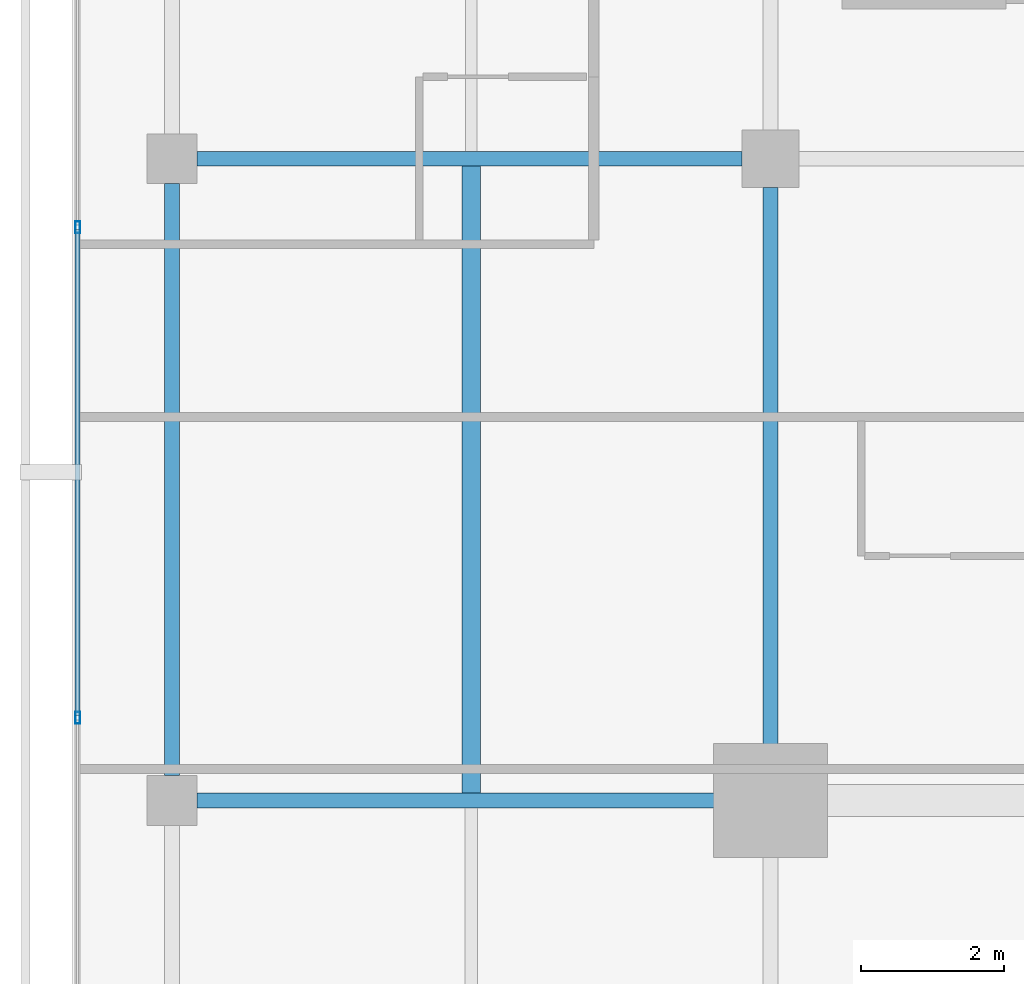
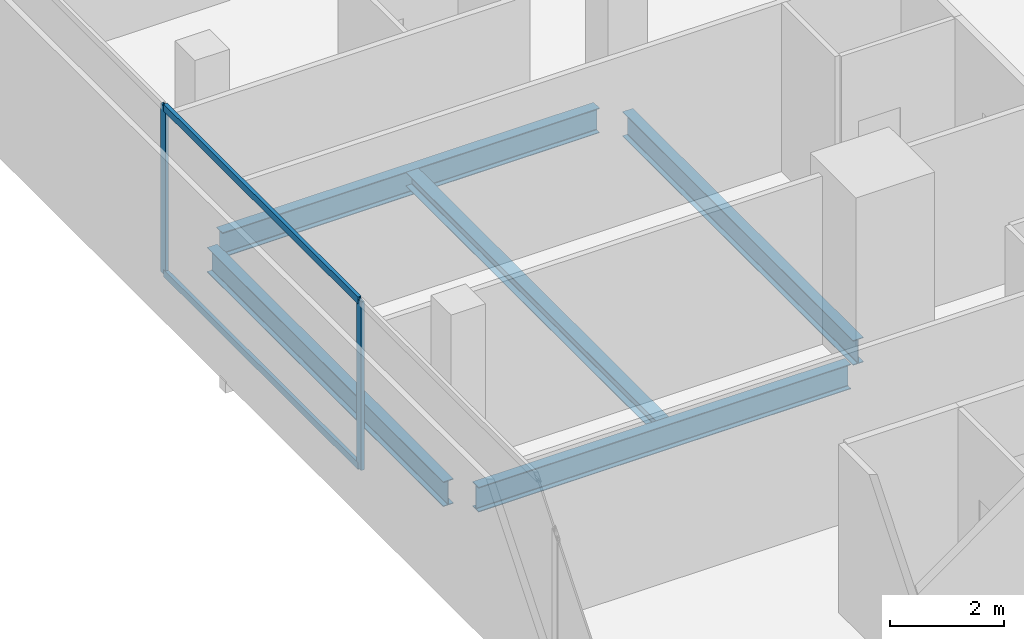
# One storey, part 8 of 25: 5 beams, 4 members, 1 element without a shape of its own.
"""IFC4 building model written with IfcOpenShell, lengths in metres."""

from ifc_helpers import new_model, si_unit, direction, frame, origin, origin_2d, place, context, subcontext, project, spatial, hollow_rectangle, i_section, extrude, material, layer, layer_set, material_profile, profile_set, type_object, element, aggregate, save


model = new_model("IFC4")

# Units and contexts
model_context = context("Model", 3, precision=1e-05, world=origin(), true_north=direction((0.0, 1.0)))
body_context = subcontext(model_context, "Body", "Model", "MODEL_VIEW")
ifc_project = project(units=[si_unit("LENGTHUNIT", "METRE"), si_unit("AREAUNIT", "SQUARE_METRE"), si_unit("VOLUMEUNIT", "CUBIC_METRE"), si_unit("PLANEANGLEUNIT", "RADIAN"), si_unit("MASSUNIT", "GRAM", prefix="KILO")], contexts=[model_context])

# Site, building, storey
site_placement = place(None, origin())
site = spatial("IfcSite", under=ifc_project, at=site_placement, CompositionType="ELEMENT")
building_placement = place(site_placement, origin())
building = spatial("IfcBuilding", under=site, at=building_placement, Name="Maruvema Waterfront Hotel and Observation Tower", CompositionType="ELEMENT")
storey_placement = place(building_placement, frame((0.0, 0.0, 250.949951171875)))
storey = spatial("IfcBuildingStorey", under=building, at=storey_placement, Name="L61", CompositionType="ELEMENT", Elevation=250.949951171875)

# Curtain wall, members
ifc_material_1 = material(Name="Anodised bronze aluminium and solar-control low-E IGU", Category="aluminium")
ifc_layer = layer(ifc_material_1, 0.159912109375, Name="Zone 3 Champagne Inner Thermal Curtain Wall System CW-04")
ifc_layer_set = layer_set([ifc_layer], Name="Anodised bronze aluminium and solar-control low-E IGU")
curtain_wall_type = type_object("IfcCurtainWallType", Name="Zone 3 Champagne Inner Thermal Curtain Wall System CW-04", PredefinedType="USERDEFINED", material=ifc_layer_set)
curtain_wall_placement = place(storey_placement, origin())
curtain_wall = element("IfcCurtainWall", 1, at=curtain_wall_placement, inside=storey, type_object=curtain_wall_type, Name="L61 Curtain Wall CW-L61-W", ObjectType="UNITISED CURTAIN WALL", PredefinedType="USERDEFINED")
ifc_material_2 = material(Name="Anodised architectural bronze aluminium", Category="aluminium")
ifc_material_profile_1 = material_profile(ifc_material_2, hollow_rectangle(XDim=0.070068359375, YDim=0.14990234375, WallThickness=0.00390625, at=origin_2d()), Name="ALU-T70x150")
ifc_profile_set_1 = profile_set([ifc_material_profile_1], Name="Anodised architectural bronze aluminium")
member_type_1 = type_object("IfcMemberType", Name="Curtain Wall Horizontal Transom ALU-T70x150", PredefinedType="USERDEFINED", material=ifc_profile_set_1)
member_1_placement = place(storey_placement, frame((15.47998046875, 35.010009765625, 0.030029296875), z_axis=(0.0, -1.0, 0.0), x_axis=(1.0, 0.0, 0.0)))
member_1 = element("IfcMember", 2, at=member_1_placement, type_object=member_type_1, Name="CW-04 transom 3.1", ObjectType="TRANSOM", PredefinedType="USERDEFINED", context=body_context, shape_type="SweptSolid", body=[
    extrude(hollow_rectangle(XDim=0.070068359375, YDim=0.14990234375, WallThickness=0.00390625, at=origin_2d()), origin(), (0.0, 0.0, 1.0), 6.820068359375),
])
member_2_placement = place(storey_placement, frame((15.47998046875, 35.010009765625, 3.580078125), z_axis=(0.0, -1.0, 0.0), x_axis=(1.0, 0.0, 0.0)))
member_2 = element("IfcMember", 3, at=member_2_placement, type_object=member_type_1, Name="CW-04 transom 3.2", ObjectType="TRANSOM", PredefinedType="USERDEFINED", context=body_context, shape_type="SweptSolid", body=[
    extrude(hollow_rectangle(XDim=0.070068359375, YDim=0.14990234375, WallThickness=0.00390625, at=origin_2d()), origin(), (0.0, 0.0, 1.0), 6.820068359375),
])
ifc_material_3 = material(Name="Anodised architectural bronze aluminium", Category="aluminium")
ifc_material_profile_2 = material_profile(ifc_material_3, hollow_rectangle(XDim=0.06494140625, YDim=0.1650390625, WallThickness=0.00390625, at=origin_2d()), Name="ALU-M65x165")
ifc_profile_set_2 = profile_set([ifc_material_profile_2], Name="Anodised architectural bronze aluminium")
member_type_2 = type_object("IfcMemberType", Name="Curtain Wall Primary Mullion ALU-M65x165", PredefinedType="MULLION", material=ifc_profile_set_2)
member_3_placement = place(storey_placement, frame((15.47998046875, 35.0400390625, 0.0), z_axis=(0.0, 0.0, 1.0), x_axis=(1.0, 0.0, 0.0)))
member_3 = element("IfcMember", 4, at=member_3_placement, type_object=member_type_2, Name="CW-04 mullion 3", PredefinedType="MULLION", context=body_context, shape_type="SweptSolid", body=[
    extrude(hollow_rectangle(XDim=0.06494140625, YDim=0.1650390625, WallThickness=0.00390625, at=origin_2d()), origin(), (0.0, 0.0, 1.0), 3.610107421875),
])
member_4_placement = place(storey_placement, frame((15.47998046875, 28.159912109375, 0.0), z_axis=(0.0, 0.0, 1.0), x_axis=(1.0, 0.0, 0.0)))
member_4 = element("IfcMember", 5, at=member_4_placement, type_object=member_type_2, Name="CW-04 mullion 4", PredefinedType="MULLION", context=body_context, shape_type="SweptSolid", body=[
    extrude(hollow_rectangle(XDim=0.06494140625, YDim=0.1650390625, WallThickness=0.00390625, at=origin_2d()), origin(), (0.0, 0.0, 1.0), 3.610107421875),
])
aggregate(curtain_wall, [member_3, member_4, member_1, member_2])

# Beams
ifc_material_4 = material(Name="Steel ASTM A572 Grade 50", Category="steel")
ifc_material_profile_3 = material_profile(ifc_material_4, i_section(OverallWidth=0.208984375, OverallDepth=0.532958984375, WebThickness=0.01025390625, FlangeThickness=0.015625, FilletRadius=0.014892578125, at=origin_2d()), Name="W530x92.0")
ifc_profile_set_3 = profile_set([ifc_material_profile_3], Name="Steel ASTM A572 Grade 50")
beam_type_1 = type_object("IfcBeamType", Name="Primary Floor Girder W530x92.0", PredefinedType="BEAM", material=ifc_profile_set_3)
beam_1_placement = place(storey_placement, frame((17.14990234375, 27.0, -0.50634765625), z_axis=(1.0, 0.0, 0.0), x_axis=(0.0, 1.0, 0.0)))
element("IfcBeam", 6, at=beam_1_placement, inside=storey, type_object=beam_type_1, Name="L61 Floor Girder EW-09", PredefinedType="BEAM", context=body_context, shape_type="SweptSolid", body=[
    extrude(i_section(OverallWidth=0.208984375, OverallDepth=0.532958984375, WebThickness=0.01025390625, FlangeThickness=0.015625, FilletRadius=0.014892578125, at=origin_2d()), origin(), (0.0, 0.0, 1.0), 7.550048828125),
])
beam_2_placement = place(storey_placement, frame((17.14990234375, 36.0, -0.50634765625), z_axis=(1.0, 0.0, 0.0), x_axis=(0.0, 1.0, 0.0)))
element("IfcBeam", 7, at=beam_2_placement, inside=storey, type_object=beam_type_1, Name="L61 Floor Girder EW-12", PredefinedType="BEAM", context=body_context, shape_type="SweptSolid", body=[
    extrude(i_section(OverallWidth=0.208984375, OverallDepth=0.532958984375, WebThickness=0.01025390625, FlangeThickness=0.015625, FilletRadius=0.014892578125, at=origin_2d()), origin(), (0.0, 0.0, 1.0), 7.650146484375),
])
beam_3_placement = place(storey_placement, frame((16.800048828125, 27.35009765625, -0.50634765625), z_axis=(0.0, 1.0, 0.0), x_axis=(-1.0, 0.0, 0.0)))
element("IfcBeam", 8, at=beam_3_placement, inside=storey, type_object=beam_type_1, Name="L61 Floor Girder NS-02", PredefinedType="BEAM", context=body_context, shape_type="SweptSolid", body=[
    extrude(i_section(OverallWidth=0.208984375, OverallDepth=0.532958984375, WebThickness=0.01025390625, FlangeThickness=0.015625, FilletRadius=0.014892578125, at=origin_2d()), origin(), (0.0, 0.0, 1.0), 8.2998046875),
])
beam_4_placement = place(storey_placement, frame((25.199951171875, 27.5, -0.50634765625), z_axis=(0.0, 1.0, 0.0), x_axis=(-1.0, 0.0, 0.0)))
element("IfcBeam", 9, at=beam_4_placement, inside=storey, type_object=beam_type_1, Name="L61 Floor Girder NS-06", PredefinedType="BEAM", context=body_context, shape_type="SweptSolid", body=[
    extrude(i_section(OverallWidth=0.208984375, OverallDepth=0.532958984375, WebThickness=0.01025390625, FlangeThickness=0.015625, FilletRadius=0.014892578125, at=origin_2d()), origin(), (0.0, 0.0, 1.0), 8.10009765625),
])
ifc_material_5 = material(Name="Steel ASTM A572 Grade 50", Category="steel")
ifc_material_profile_4 = material_profile(ifc_material_5, i_section(OverallWidth=0.25390625, OverallDepth=0.305908203125, WebThickness=0.0087890625, FlangeThickness=0.0146484375, FilletRadius=0.014892578125, at=origin_2d()), Name="W310x79.0")
ifc_profile_set_4 = profile_set([ifc_material_profile_4], Name="Steel ASTM A572 Grade 50")
beam_type_2 = type_object("IfcBeamType", Name="Secondary Floor Joist W310x79.0", PredefinedType="JOIST", material=ifc_profile_set_4)
beam_5_placement = place(storey_placement, frame((21.0, 27.1044921875, -0.39306640625), z_axis=(0.0, 1.0, 0.0), x_axis=(-1.0, 0.0, 0.0)))
element("IfcBeam", 10, at=beam_5_placement, inside=storey, type_object=beam_type_2, Name="L61 Secondary Floor Joist JS-02", PredefinedType="JOIST", context=body_context, shape_type="SweptSolid", body=[
    extrude(i_section(OverallWidth=0.25390625, OverallDepth=0.305908203125, WebThickness=0.0087890625, FlangeThickness=0.0146484375, FilletRadius=0.014892578125, at=origin_2d()), origin(), (0.0, 0.0, 1.0), 8.791015625),
])

save(model, "model.ifc")
